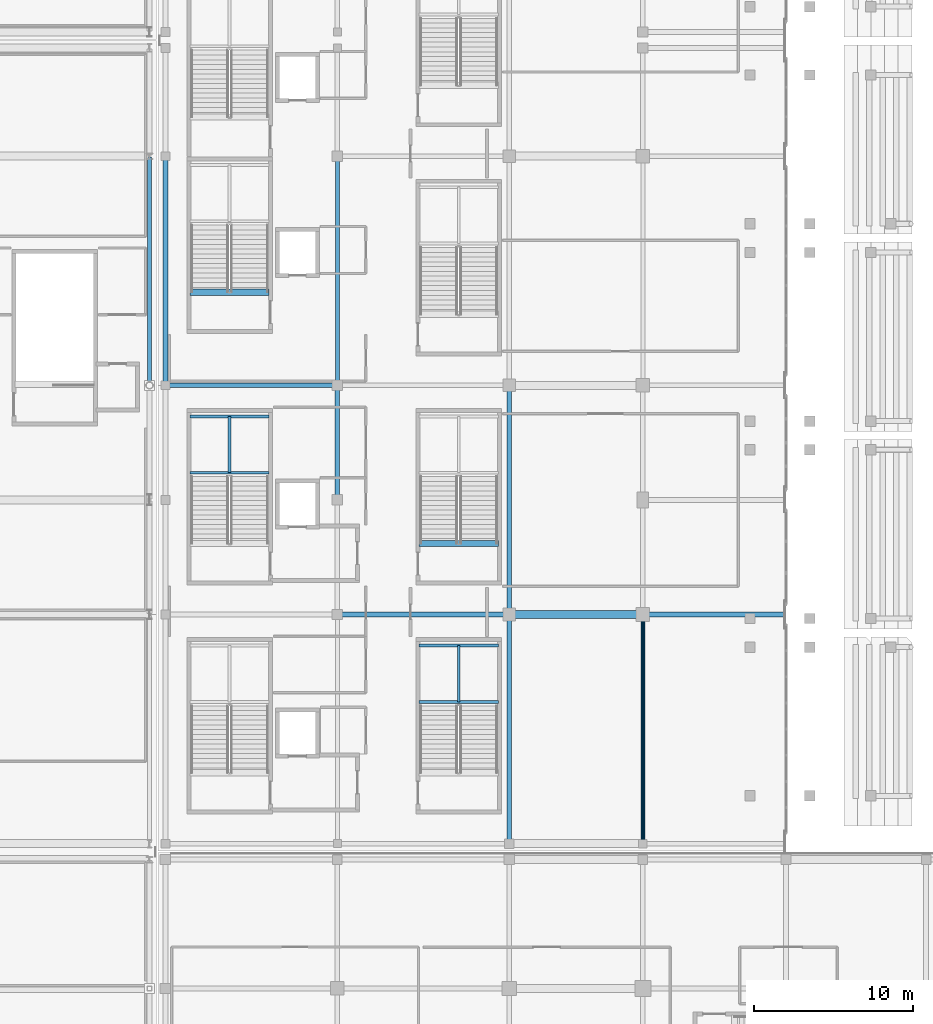
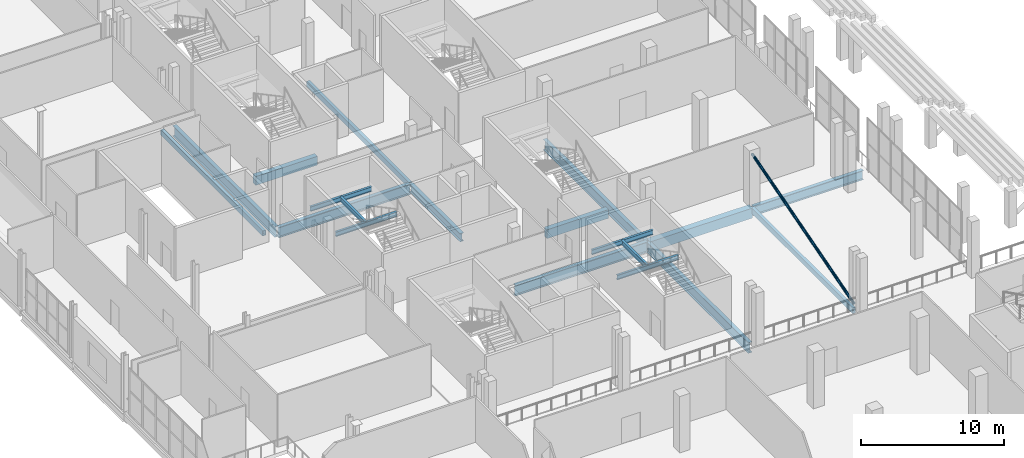
# One storey, part 21 of 142: 19 beams, 1 member.
"""IFC4 building model written with IfcOpenShell, lengths in metres."""

from ifc_helpers import new_model, si_unit, direction, frame, origin, origin_2d, place, context, subcontext, project, spatial, rectangle, hollow_rectangle, hollow_circle, i_section, extrude, material, material_profile, profile_set, type_object, element, save


model = new_model("IFC4")

# Units and contexts
model_context = context("Model", 3, precision=1e-05, world=origin(), true_north=direction((0.0, 1.0)))
body_context = subcontext(model_context, "Body", "Model", "MODEL_VIEW")
ifc_project = project(units=[si_unit("LENGTHUNIT", "METRE"), si_unit("AREAUNIT", "SQUARE_METRE"), si_unit("VOLUMEUNIT", "CUBIC_METRE"), si_unit("PLANEANGLEUNIT", "RADIAN"), si_unit("MASSUNIT", "GRAM", prefix="KILO")], contexts=[model_context])

# Site, building, storey
site_placement = place(None, origin())
site = spatial("IfcSite", under=ifc_project, at=site_placement, CompositionType="ELEMENT")
building_placement = place(site_placement, origin())
building = spatial("IfcBuilding", under=site, at=building_placement, Name="Koshinbarg Plaza Stadium", CompositionType="ELEMENT")
storey_placement = place(building_placement, frame((0.0, 0.0, 10.199951171875)))
storey = spatial("IfcBuildingStorey", under=building, at=storey_placement, Name="L02", CompositionType="ELEMENT", Elevation=10.199951171875)

# Beams
ifc_material_1 = material(Name="Concrete C40/50", Category="concrete")
ifc_material_profile_1 = material_profile(ifc_material_1, rectangle(XDim=0.39990234375, YDim=0.75, at=origin_2d()), Name="RC 400x750")
ifc_profile_set_1 = profile_set([ifc_material_profile_1], Name="Concrete C40/50")
beam_type_1 = type_object("IfcBeamType", Name="BM-RCG-03", PredefinedType="USERDEFINED", material=ifc_profile_set_1)
beam_1_placement = place(storey_placement, frame((26.14990234375, 60.159912109375, -0.375), z_axis=(1.0, 0.0, 0.0), x_axis=(0.0, 1.0, 0.0)))
element("IfcBeam", 1, at=beam_1_placement, inside=storey, type_object=beam_type_1, Name="L02 stair landing header beam C03", ObjectType="GIRDER", PredefinedType="USERDEFINED", context=body_context, shape_type="SweptSolid", body=[
    extrude(rectangle(XDim=0.39990234375, YDim=0.75, at=origin_2d()), origin(), (0.0, 0.0, 1.0), 4.97021484375),
])
beam_2_placement = place(storey_placement, frame((40.550048828125, 44.360107421875, -0.375), z_axis=(1.0, 0.0, 0.0), x_axis=(0.0, 1.0, 0.0)))
element("IfcBeam", 2, at=beam_2_placement, inside=storey, type_object=beam_type_1, Name="L02 stair landing header beam VX02", ObjectType="GIRDER", PredefinedType="USERDEFINED", context=body_context, shape_type="SweptSolid", body=[
    extrude(rectangle(XDim=0.39990234375, YDim=0.75, at=origin_2d()), origin(), (0.0, 0.0, 1.0), 4.969970703125),
])
ifc_material_profile_2 = material_profile(ifc_material_1, rectangle(XDim=0.5, YDim=0.85009765625, at=origin_2d()), Name="RC 500x850")
ifc_profile_set_2 = profile_set([ifc_material_profile_2], Name="Concrete C40/50")
beam_type_2 = type_object("IfcBeamType", Name="BM-RCG-05", PredefinedType="USERDEFINED", material=ifc_profile_set_2)
beam_3_placement = place(storey_placement, frame((46.260009765625, 39.89990234375, -0.724853515625), z_axis=(1.0, 0.0, 0.0), x_axis=(0.0, 1.0, 0.0)))
element("IfcBeam", 3, at=beam_3_placement, inside=storey, type_object=beam_type_2, Name="L02 X girder F/7-8", ObjectType="GIRDER", PredefinedType="USERDEFINED", context=body_context, shape_type="SweptSolid", body=[
    extrude(rectangle(XDim=0.5, YDim=0.85009765625, at=origin_2d()), origin(), (0.0, 0.0, 1.0), 8.280029296875),
])
ifc_material_2 = material(Name="Steel S355", Category="steel")
ifc_material_profile_3 = material_profile(ifc_material_2, i_section(OverallWidth=0.179931640625, OverallDepth=0.39990234375, WebThickness=0.008544921875, FlangeThickness=0.013427734375, at=origin_2d()), Name="IPE 400")
ifc_profile_set_3 = profile_set([ifc_material_profile_3], Name="Steel S355")
beam_type_3 = type_object("IfcBeamType", Name="BM-SBM-01", PredefinedType="BEAM", material=ifc_profile_set_3)
for number, where, z_axis, x_axis, name in (
    (4, (26.14990234375, 48.81005859375, 1.880126953125), (1.0, 0.0, 0.0), (0.0, 1.0, 0.0), "L02 Protected Exit Stair C02 landing trimmer beam 1"),
    (5, (26.14990234375, 52.35009765625, 1.880126953125), (1.0, 0.0, 0.0), (0.0, 1.0, 0.0), "L02 Protected Exit Stair C02 landing trimmer beam 2"),
):
    element("IfcBeam", number, at=place(storey_placement, frame(where, z_axis=z_axis, x_axis=x_axis)), inside=storey, type_object=beam_type_3, Name=name, PredefinedType="BEAM", context=body_context, shape_type="SweptSolid", body=[
        extrude(i_section(OverallWidth=0.179931640625, OverallDepth=0.39990234375, WebThickness=0.008544921875, FlangeThickness=0.013427734375, at=origin_2d()), origin(), (0.0, 0.0, 1.0), 4.97021484375),
    ])
beam_4_placement = place(storey_placement, frame((28.635009765625, 48.81005859375, 1.880126953125), z_axis=(0.0, 1.0, 0.0), x_axis=(-1.0, 0.0, 0.0)))
element("IfcBeam", 6, at=beam_4_placement, inside=storey, type_object=beam_type_3, Name="L02 Protected Exit Stair C02 landing trimmer beam 3", PredefinedType="BEAM", context=body_context, shape_type="SweptSolid", body=[
    extrude(i_section(OverallWidth=0.179931640625, OverallDepth=0.39990234375, WebThickness=0.008544921875, FlangeThickness=0.013427734375, at=origin_2d()), origin(), (0.0, 0.0, 1.0), 3.5400390625),
])
for number, where, z_axis, x_axis, name in (
    (7, (40.550048828125, 34.409912109375, 1.880126953125), (1.0, 0.0, 0.0), (0.0, 1.0, 0.0), "L02 Upper Vomitory Stair VX01 landing trimmer beam 1"),
    (8, (40.550048828125, 37.949951171875, 1.880126953125), (1.0, 0.0, 0.0), (0.0, 1.0, 0.0), "L02 Upper Vomitory Stair VX01 landing trimmer beam 2"),
):
    element("IfcBeam", number, at=place(storey_placement, frame(where, z_axis=z_axis, x_axis=x_axis)), inside=storey, type_object=beam_type_3, Name=name, PredefinedType="BEAM", context=body_context, shape_type="SweptSolid", body=[
        extrude(i_section(OverallWidth=0.179931640625, OverallDepth=0.39990234375, WebThickness=0.008544921875, FlangeThickness=0.013427734375, at=origin_2d()), origin(), (0.0, 0.0, 1.0), 4.969970703125),
    ])
beam_5_placement = place(storey_placement, frame((43.034912109375, 34.409912109375, 1.880126953125), z_axis=(0.0, 1.0, 0.0), x_axis=(-1.0, 0.0, 0.0)))
element("IfcBeam", 9, at=beam_5_placement, inside=storey, type_object=beam_type_3, Name="L02 Upper Vomitory Stair VX01 landing trimmer beam 3", PredefinedType="BEAM", context=body_context, shape_type="SweptSolid", body=[
    extrude(i_section(OverallWidth=0.179931640625, OverallDepth=0.39990234375, WebThickness=0.008544921875, FlangeThickness=0.013427734375, at=origin_2d()), origin(), (0.0, 0.0, 1.0), 3.5400390625),
])
ifc_material_profile_4 = material_profile(ifc_material_2, i_section(OverallWidth=0.300048828125, OverallDepth=0.699951171875, WebThickness=0.01708984375, FlangeThickness=0.031982421875, at=origin_2d()), Name="HEB 700")
ifc_profile_set_4 = profile_set([ifc_material_profile_4], Name="Steel S355")
beam_type_4 = type_object("IfcBeamType", Name="BM-SGIR-03", PredefinedType="USERDEFINED", material=ifc_profile_set_4)
beam_6_placement = place(storey_placement, frame((35.39990234375, 47.159912109375, -0.64990234375), z_axis=(0.0, 1.0, 0.0), x_axis=(-1.0, 0.0, 0.0)))
element("IfcBeam", 10, at=beam_6_placement, inside=storey, type_object=beam_type_4, Name="L02 Y girder 6/G-H", ObjectType="GIRDER", PredefinedType="USERDEFINED", context=body_context, shape_type="SweptSolid", body=[
    extrude(i_section(OverallWidth=0.300048828125, OverallDepth=0.699951171875, WebThickness=0.01708984375, FlangeThickness=0.031982421875, at=origin_2d()), origin(), (0.0, 0.0, 1.0), 7.080078125),
])
ifc_material_profile_5 = material_profile(ifc_material_2, i_section(OverallWidth=0.300048828125, OverallDepth=0.800048828125, WebThickness=0.017578125, FlangeThickness=0.032958984375, at=origin_2d()), Name="HEB 800")
ifc_profile_set_5 = profile_set([ifc_material_profile_5], Name="Steel S355")
beam_type_5 = type_object("IfcBeamType", Name="BM-SGIR-04", PredefinedType="USERDEFINED", material=ifc_profile_set_5)
beam_7_placement = place(storey_placement, frame((54.659912109375, 39.89990234375, -0.699951171875), z_axis=(1.0, 0.0, 0.0), x_axis=(0.0, 1.0, 0.0)))
element("IfcBeam", 11, at=beam_7_placement, inside=storey, type_object=beam_type_5, Name="L02 X girder F/8-9", ObjectType="GIRDER", PredefinedType="USERDEFINED", context=body_context, shape_type="SweptSolid", body=[
    extrude(i_section(OverallWidth=0.300048828125, OverallDepth=0.800048828125, WebThickness=0.017578125, FlangeThickness=0.032958984375, at=origin_2d()), origin(), (0.0, 0.0, 1.0), 8.880126953125),
])
ifc_material_profile_6 = material_profile(ifc_material_2, i_section(OverallWidth=0.300048828125, OverallDepth=0.89990234375, WebThickness=0.0185546875, FlangeThickness=0.034912109375, at=origin_2d()), Name="HEB 900")
ifc_profile_set_6 = profile_set([ifc_material_profile_6], Name="Steel S355")
beam_type_6 = type_object("IfcBeamType", Name="BM-SGIR-05", PredefinedType="USERDEFINED", material=ifc_profile_set_6)
beam_8_placement = place(storey_placement, frame((35.4599609375, 39.89990234375, -0.75), z_axis=(1.0, 0.0, 0.0), x_axis=(0.0, 1.0, 0.0)))
element("IfcBeam", 12, at=beam_8_placement, inside=storey, type_object=beam_type_6, Name="L02 X girder F/6-7", ObjectType="GIRDER", PredefinedType="USERDEFINED", context=body_context, shape_type="SweptSolid", body=[
    extrude(i_section(OverallWidth=0.300048828125, OverallDepth=0.89990234375, WebThickness=0.0185546875, FlangeThickness=0.034912109375, at=origin_2d()), origin(), (0.0, 0.0, 1.0), 10.679931640625),
])
beam_9_placement = place(storey_placement, frame((24.659912109375, 54.300048828125, -0.75), z_axis=(1.0, 0.0, 0.0), x_axis=(0.0, 1.0, 0.0)))
element("IfcBeam", 13, at=beam_9_placement, inside=storey, type_object=beam_type_6, Name="L02 X girder H/5-6", ObjectType="GIRDER", PredefinedType="USERDEFINED", context=body_context, shape_type="SweptSolid", body=[
    extrude(i_section(OverallWidth=0.300048828125, OverallDepth=0.89990234375, WebThickness=0.0185546875, FlangeThickness=0.034912109375, at=origin_2d()), origin(), (0.0, 0.0, 1.0), 10.68017578125),
])
beam_10_placement = place(storey_placement, frame((24.60009765625, 54.360107421875, -0.75), z_axis=(0.0, 1.0, 0.0), x_axis=(-1.0, 0.0, 0.0)))
element("IfcBeam", 14, at=beam_10_placement, inside=storey, type_object=beam_type_6, Name="L02 Y girder 5/H-J", ObjectType="GIRDER", PredefinedType="USERDEFINED", context=body_context, shape_type="SweptSolid", body=[
    extrude(i_section(OverallWidth=0.300048828125, OverallDepth=0.89990234375, WebThickness=0.0185546875, FlangeThickness=0.034912109375, at=origin_2d()), origin(), (0.0, 0.0, 1.0), 14.27978515625),
])
for number, where, z_axis, x_axis, name in (
    (15, (46.199951171875, 25.56005859375, -0.75), (0.0, 1.0, 0.0), (-1.0, 0.0, 0.0), "L02 Y girder 7/E-F"),
    (16, (46.199951171875, 39.9599609375, -0.75), (0.0, 1.0, 0.0), (-1.0, 0.0, 0.0), "L02 Y girder 7/F-H"),
):
    element("IfcBeam", number, at=place(storey_placement, frame(where, z_axis=z_axis, x_axis=x_axis)), inside=storey, type_object=beam_type_6, Name=name, ObjectType="GIRDER", PredefinedType="USERDEFINED", context=body_context, shape_type="SweptSolid", body=[
        extrude(i_section(OverallWidth=0.300048828125, OverallDepth=0.89990234375, WebThickness=0.0185546875, FlangeThickness=0.034912109375, at=origin_2d()), origin(), (0.0, 0.0, 1.0), 14.280029296875),
    ])
ifc_material_profile_7 = material_profile(ifc_material_2, hollow_rectangle(XDim=0.25, YDim=0.449951171875, WallThickness=0.01611328125, at=origin_2d()), Name="RHS 450x250x16")
ifc_profile_set_7 = profile_set([ifc_material_profile_7], Name="Steel S355")
beam_type_7 = type_object("IfcBeamType", Name="BM-SGIR-06", PredefinedType="USERDEFINED", material=ifc_profile_set_7)
for number, where, z_axis, x_axis, name in (
    (17, (23.60009765625, 54.360107421875, -0.52490234375), (0.0, 1.0, 0.0), (-1.0, 0.0, 0.0), "L02 Y girder 4/H-J"),
    (18, (35.39990234375, 54.360107421875, -0.52490234375), (0.0, 1.0, 0.0), (-1.0, 0.0, 0.0), "L02 Y girder 6/H-J"),
):
    element("IfcBeam", number, at=place(storey_placement, frame(where, z_axis=z_axis, x_axis=x_axis)), inside=storey, type_object=beam_type_7, Name=name, ObjectType="GIRDER", PredefinedType="USERDEFINED", context=body_context, shape_type="SweptSolid", body=[
        extrude(hollow_rectangle(XDim=0.25, YDim=0.449951171875, WallThickness=0.01611328125, at=origin_2d()), origin(), (0.0, 0.0, 1.0), 14.27978515625),
    ])
beam_11_placement = place(storey_placement, frame((54.60009765625, 25.56005859375, -0.52490234375), z_axis=(0.0, 1.0, 0.0), x_axis=(-1.0, 0.0, 0.0)))
element("IfcBeam", 19, at=beam_11_placement, inside=storey, type_object=beam_type_7, Name="L02 Y girder 8/E-F", ObjectType="GIRDER", PredefinedType="USERDEFINED", context=body_context, shape_type="SweptSolid", body=[
    extrude(hollow_rectangle(XDim=0.25, YDim=0.449951171875, WallThickness=0.01611328125, at=origin_2d()), origin(), (0.0, 0.0, 1.0), 14.280029296875),
])

# Member
ifc_material_profile_8 = material_profile(ifc_material_2, hollow_circle(Radius=0.109619140625, WallThickness=0.010009765625, at=origin_2d()), Name="CHS 219.1x10")
ifc_profile_set_8 = profile_set([ifc_material_profile_8], Name="Steel S355")
member_type = type_object("IfcMemberType", Name="MB-BRACE-03", PredefinedType="BRACE", material=ifc_profile_set_8)
member_placement = place(storey_placement, frame((54.60009765625, 25.580078125, 0.050048828125), z_axis=(0.0, 0.960062102973, 0.27978698761), x_axis=(-1.0, 0.0, 0.0)))
element("IfcMember", 20, at=member_placement, inside=storey, type_object=member_type, Name="L02 lateral frame brace 9", PredefinedType="BRACE", context=body_context, shape_type="SweptSolid", body=[
    extrude(hollow_circle(Radius=0.109619140625, WallThickness=0.010009765625, at=origin_2d()), origin(), (0.0, 0.0, 1.0), 14.832275390625),
])

save(model, "model.ifc")
